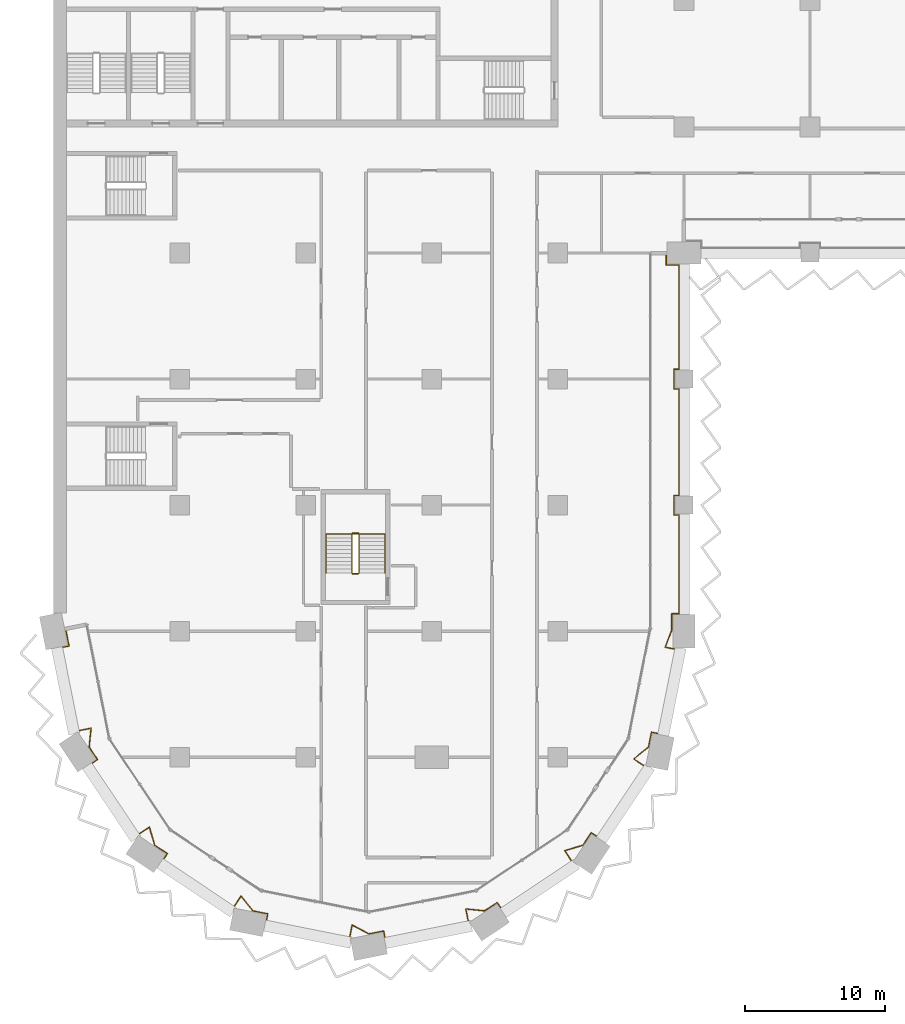
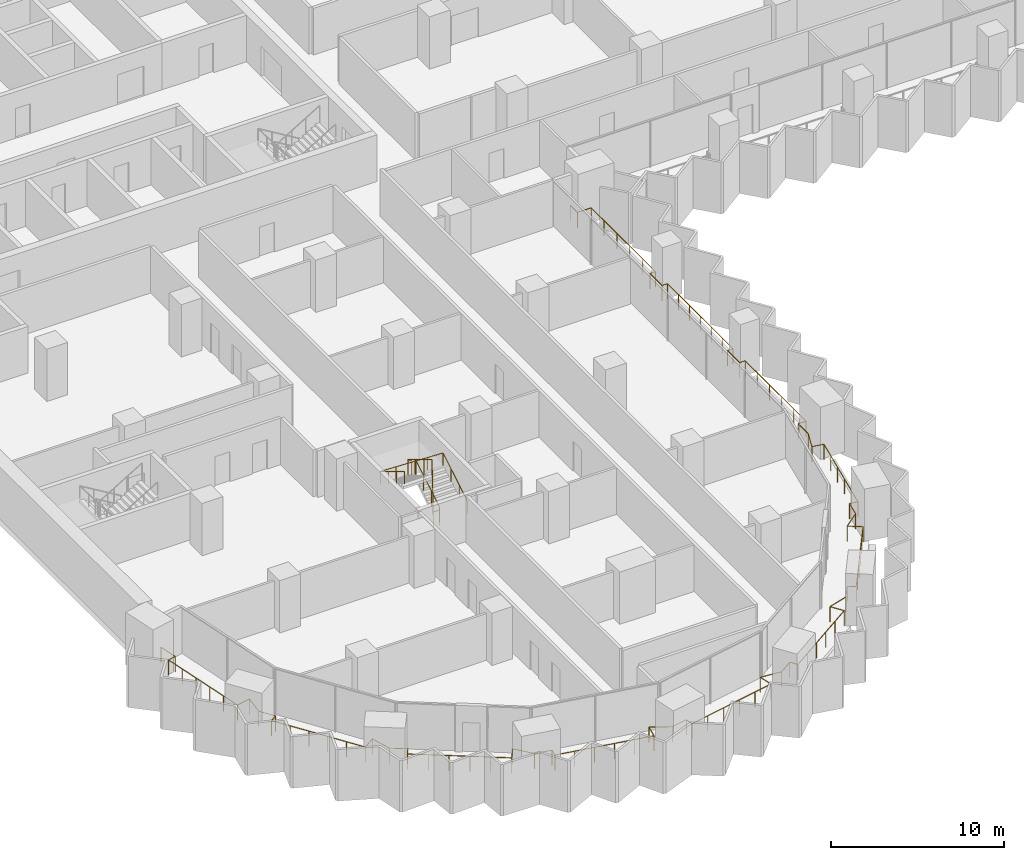
# One storey, part 25 of 29: 3 railings.
"""IFC4 building model written with IfcOpenShell, lengths in metres."""

from ifc_helpers import new_model, si_unit, direction, frame, origin, origin_2d, place, context, subcontext, project, spatial, circle, extrude, material, type_object, element, save


model = new_model("IFC4")

# Units and contexts
model_context = context("Model", 3, precision=1e-05, world=origin(), true_north=direction((0.0, 1.0)))
body_context = subcontext(model_context, "Body", "Model", "MODEL_VIEW")
ifc_project = project(units=[si_unit("LENGTHUNIT", "METRE"), si_unit("AREAUNIT", "SQUARE_METRE"), si_unit("VOLUMEUNIT", "CUBIC_METRE"), si_unit("PLANEANGLEUNIT", "RADIAN"), si_unit("MASSUNIT", "GRAM", prefix="KILO")], contexts=[model_context])

# Site, building, storey
site_placement = place(None, origin())
site = spatial("IfcSite", under=ifc_project, at=site_placement, CompositionType="ELEMENT")
building_placement = place(site_placement, origin())
building = spatial("IfcBuilding", under=site, at=building_placement, Name="Hunhe Ridgeline Campus", CompositionType="ELEMENT")
storey_placement = place(building_placement, frame((0.0, 0.0, 50.60009765625)))
storey = spatial("IfcBuildingStorey", under=building, at=storey_placement, Name="L11", CompositionType="ELEMENT", Elevation=50.60009765625)

# Railings
ifc_material_1 = material(Name="Steel Q355", Category="steel")
railing_type_1 = type_object("IfcRailingType", Name="Loggia guard 1100 Steel Q355", PredefinedType="GUARDRAIL", material=ifc_material_1)
railing_1_placement = place(storey_placement, frame((0.853271484375, 27.169677734375, 0.0)))
element("IfcRailing", 1, at=railing_1_placement, inside=storey, type_object=railing_type_1, Name="Loggia guard 1", PredefinedType="GUARDRAIL", context=body_context, shape_type="SweptSolid", body=[
    extrude(circle(Radius=0.02392578125, at=origin_2d()), frame((0.0, 0.0, 1.076171875), z_axis=(0.195139364365, -0.980775523999, 0.0), x_axis=(0.980775523999, 0.195139364365, 0.0)), (0.0, 0.0, 1.0), 1.249755859375),
    extrude(circle(Radius=0.02392578125, at=origin_2d()), frame((0.243896484375, -1.225830078125, 1.076171875), z_axis=(-0.980742851189, -0.195303506986, 0.0), x_axis=(0.195303506986, -0.980742851189, 0.0)), (0.0, 0.0, 1.0), 0.52001953125),
    extrude(circle(Radius=0.02392578125, at=origin_2d()), frame((-0.26611328125, -1.327392578125, 1.076171875), z_axis=(0.195094074844, -0.980784533912, 0.0), x_axis=(0.980784533912, 0.195094074844, 0.0)), (0.0, 0.0, 1.0), 6.064208984375),
    extrude(circle(Radius=0.02392578125, at=origin_2d()), frame((0.9169921875, -7.275146484375, 1.076171875), z_axis=(0.980774480174, 0.195144610585, 0.0), x_axis=(-0.195144610585, 0.980774480174, 0.0)), (0.0, 0.0, 1.0), 0.918212890625),
    extrude(circle(Radius=0.02392578125, at=origin_2d()), frame((1.817626953125, -7.095947265625, 1.076171875), z_axis=(-0.102578746514, -0.994724886973, 0.0), x_axis=(0.994724886973, -0.102578746514, 0.0)), (0.0, 0.0, 1.0), 1.351806640625),
    extrude(circle(Radius=0.02392578125, at=origin_2d()), frame((1.678955078125, -8.440673828125, 1.076171875), z_axis=(0.555693885997, -0.831386976724, 0.0), x_axis=(0.831386976724, 0.555693885997, 0.0)), (0.0, 0.0, 1.0), 1.076904296875),
    extrude(circle(Radius=0.02392578125, at=origin_2d()), frame((2.27734375, -9.3359375, 1.076171875), z_axis=(-0.831327417949, -0.555782982977, 0.0), x_axis=(0.555782982977, -0.831327417949, 0.0)), (0.0, 0.0, 1.0), 0.52001953125),
    extrude(circle(Radius=0.02392578125, at=origin_2d()), frame((1.844970703125, -9.625, 1.076171875), z_axis=(0.55557319973, -0.831467630002, 0.0), x_axis=(0.831467630002, 0.55557319973, 0.0)), (0.0, 0.0, 1.0), 6.064208984375),
    extrude(circle(Radius=0.02392578125, at=origin_2d()), frame((5.214111328125, -14.667236328125, 1.076171875), z_axis=(0.831395250422, 0.555681507318, 0.0), x_axis=(-0.555681507318, 0.831395250422, 0.0)), (0.0, 0.0, 1.0), 0.918212890625),
    extrude(circle(Radius=0.02392578125, at=origin_2d()), frame((5.9775390625, -14.156982421875, 1.076171875), z_axis=(0.285889499126, -0.958262591511, 0.0), x_axis=(0.958262591511, 0.285889499126, 0.0)), (0.0, 0.0, 1.0), 1.351806640625),
    extrude(circle(Radius=0.02392578125, at=origin_2d()), frame((6.364013671875, -15.452392578125, 1.076171875), z_axis=(0.831456967492, -0.555589156849, 0.0), x_axis=(0.555589156849, 0.831456967492, 0.0)), (0.0, 0.0, 1.0), 1.0771484375),
    extrude(circle(Radius=0.02392578125, at=origin_2d()), frame((7.259521484375, -16.05078125, 1.076171875), z_axis=(-0.555675381322, -0.831399344835, 0.0), x_axis=(0.831399344835, -0.555675381322, 0.0)), (0.0, 0.0, 1.0), 0.519775390625),
    extrude(circle(Radius=0.02392578125, at=origin_2d()), frame((6.970703125, -16.48291015625, 1.076171875), z_axis=(0.831467630002, -0.55557319973, 0.0), x_axis=(0.55557319973, 0.831467630002, 0.0)), (0.0, 0.0, 1.0), 6.064208984375),
    extrude(circle(Radius=0.02392578125, at=origin_2d()), frame((12.012939453125, -19.85205078125, 1.076171875), z_axis=(0.555497688072, 0.831518080709, 0.0), x_axis=(-0.831518080709, 0.555497688072, 0.0)), (0.0, 0.0, 1.0), 0.918212890625),
    extrude(circle(Radius=0.02392578125, at=origin_2d()), frame((12.52294921875, -19.088623046875, 1.076171875), z_axis=(0.630864561128, -0.775892972976, 0.0), x_axis=(0.775892972976, 0.630864561128, 0.0)), (0.0, 0.0, 1.0), 1.351806640625),
    extrude(circle(Radius=0.02392578125, at=origin_2d()), frame((13.375732421875, -20.137451171875, 1.076171875), z_axis=(0.980771998786, -0.195157081339, 0.0), x_axis=(0.195157081339, 0.980771998786, 0.0)), (0.0, 0.0, 1.0), 1.0771484375),
    extrude(circle(Radius=0.02392578125, at=origin_2d()), frame((14.43212890625, -20.34765625, 1.076171875), z_axis=(-0.195303506986, -0.980742851189, 0.0), x_axis=(0.980742851189, -0.195303506986, 0.0)), (0.0, 0.0, 1.0), 0.52001953125),
    extrude(circle(Radius=0.02392578125, at=origin_2d()), frame((14.33056640625, -20.857666015625, 1.076171875), z_axis=(0.980792236535, -0.195055347919, 0.0), x_axis=(0.195055347919, 0.980792236535, 0.0)), (0.0, 0.0, 1.0), 6.064208984375),
    extrude(circle(Radius=0.02392578125, at=origin_2d()), frame((20.2783203125, -22.04052734375, 1.076171875), z_axis=(0.195144610585, 0.980774480174, 0.0), x_axis=(-0.980774480174, 0.195144610585, 0.0)), (0.0, 0.0, 1.0), 0.918212890625),
    extrude(circle(Radius=0.02392578125, at=origin_2d()), frame((20.45751953125, -21.139892578125, 1.076171875), z_axis=(0.879704471732, -0.475520811757, 0.0), x_axis=(0.475520811757, 0.879704471732, 0.0)), (0.0, 0.0, 1.0), 1.351806640625),
    extrude(circle(Radius=0.02392578125, at=origin_2d()), frame((21.646728515625, -21.78271484375, 1.076171875), z_axis=(0.980763363144, 0.195200475189, 0.0), x_axis=(-0.195200475189, 0.980763363144, 0.0)), (0.0, 0.0, 1.0), 1.076904296875),
    extrude(circle(Radius=0.02392578125, at=origin_2d()), frame((22.702880859375, -21.572509765625, 1.076171875), z_axis=(0.195303506986, -0.980742851189, 0.0), x_axis=(0.980742851189, 0.195303506986, 0.0)), (0.0, 0.0, 1.0), 0.52001953125),
    extrude(circle(Radius=0.02392578125, at=origin_2d()), frame((22.804443359375, -22.08251953125, 1.076171875), z_axis=(0.980784533912, 0.195094074844, 0.0), x_axis=(-0.195094074844, 0.980784533912, 0.0)), (0.0, 0.0, 1.0), 6.064208984375),
    extrude(circle(Radius=0.02392578125, at=origin_2d()), frame((28.752197265625, -20.8994140625, 1.076171875), z_axis=(-0.195144610585, 0.980774480174, 0.0), x_axis=(-0.980774480174, -0.195144610585, 0.0)), (0.0, 0.0, 1.0), 0.918212890625),
    extrude(circle(Radius=0.02392578125, at=origin_2d()), frame((28.572998046875, -19.998779296875, 1.076171875), z_axis=(0.994724886973, -0.102578746514, 0.0), x_axis=(0.102578746514, 0.994724886973, 0.0)), (0.0, 0.0, 1.0), 1.351806640625),
    extrude(circle(Radius=0.02392578125, at=origin_2d()), frame((29.917724609375, -20.137451171875, 1.076171875), z_axis=(0.831386976724, 0.555693885997, 0.0), x_axis=(-0.555693885997, 0.831386976724, 0.0)), (0.0, 0.0, 1.0), 1.076904296875),
    extrude(circle(Radius=0.02392578125, at=origin_2d()), frame((30.81298828125, -19.5390625, 1.076171875), z_axis=(0.555782982977, -0.831327417949, 0.0), x_axis=(0.831327417949, 0.555782982977, 0.0)), (0.0, 0.0, 1.0), 0.52001953125),
    extrude(circle(Radius=0.02392578125, at=origin_2d()), frame((31.10205078125, -19.971435546875, 1.076171875), z_axis=(0.831467630002, 0.55557319973, 0.0), x_axis=(-0.55557319973, 0.831467630002, 0.0)), (0.0, 0.0, 1.0), 6.064208984375),
    extrude(circle(Radius=0.02392578125, at=origin_2d()), frame((36.144287109375, -16.602294921875, 1.076171875), z_axis=(-0.555681507318, 0.831395250422, 0.0), x_axis=(-0.831395250422, -0.555681507318, 0.0)), (0.0, 0.0, 1.0), 0.918212890625),
    extrude(circle(Radius=0.02392578125, at=origin_2d()), frame((35.634033203125, -15.8388671875, 1.076171875), z_axis=(0.958262591511, 0.285889499126, 0.0), x_axis=(-0.285889499126, 0.958262591511, 0.0)), (0.0, 0.0, 1.0), 1.351806640625),
    extrude(circle(Radius=0.02392578125, at=origin_2d()), frame((36.929443359375, -15.452392578125, 1.076171875), z_axis=(0.555589156849, 0.831456967492, 0.0), x_axis=(-0.831456967492, 0.555589156849, 0.0)), (0.0, 0.0, 1.0), 1.0771484375),
    extrude(circle(Radius=0.02392578125, at=origin_2d()), frame((37.52783203125, -14.556884765625, 1.076171875), z_axis=(0.831399344835, -0.555675381322, 0.0), x_axis=(0.555675381322, 0.831399344835, 0.0)), (0.0, 0.0, 1.0), 0.519775390625),
    extrude(circle(Radius=0.02392578125, at=origin_2d()), frame((37.9599609375, -14.845703125, 1.076171875), z_axis=(0.55557319973, 0.831467630002, 0.0), x_axis=(-0.831467630002, 0.55557319973, 0.0)), (0.0, 0.0, 1.0), 6.064208984375),
    extrude(circle(Radius=0.02392578125, at=origin_2d()), frame((41.3291015625, -9.803466796875, 1.076171875), z_axis=(-0.831518080709, 0.555497688072, 0.0), x_axis=(-0.555497688072, -0.831518080709, 0.0)), (0.0, 0.0, 1.0), 0.918212890625),
    extrude(circle(Radius=0.02392578125, at=origin_2d()), frame((40.565673828125, -9.29345703125, 1.076171875), z_axis=(0.775892972976, 0.630864561128, 0.0), x_axis=(-0.630864561128, 0.775892972976, 0.0)), (0.0, 0.0, 1.0), 1.351806640625),
    extrude(circle(Radius=0.02392578125, at=origin_2d()), frame((41.614501953125, -8.440673828125, 1.076171875), z_axis=(0.195157081339, 0.980771998786, 0.0), x_axis=(-0.980771998786, 0.195157081339, 0.0)), (0.0, 0.0, 1.0), 1.0771484375),
    extrude(circle(Radius=0.02392578125, at=origin_2d()), frame((41.82470703125, -7.38427734375, 1.076171875), z_axis=(0.980742851189, -0.195303506986, 0.0), x_axis=(0.195303506986, 0.980742851189, 0.0)), (0.0, 0.0, 1.0), 0.52001953125),
    extrude(circle(Radius=0.02392578125, at=origin_2d()), frame((42.334716796875, -7.48583984375, 1.076171875), z_axis=(0.19507712928, 0.980787904509, 0.0), x_axis=(-0.980787904509, 0.19507712928, 0.0)), (0.0, 0.0, 1.0), 6.146240234375),
    extrude(circle(Radius=0.02392578125, at=origin_2d()), frame((43.53369140625, -1.457763671875, 1.076171875), z_axis=(-0.980808789294, 0.194972097602, 0.0), x_axis=(-0.194972097602, -0.980808789294, 0.0)), (0.0, 0.0, 1.0), 0.73876953125),
    extrude(circle(Radius=0.02392578125, at=origin_2d()), frame((42.80908203125, -1.313720703125, 1.076171875), z_axis=(0.35537018301, 0.93472564586, 0.0), x_axis=(-0.93472564586, 0.35537018301, 0.0)), (0.0, 0.0, 1.0), 1.315673828125),
    extrude(circle(Radius=0.02392578125, at=origin_2d()), frame((43.276611328125, -0.083984375, 1.076171875), z_axis=(0.0, 1.0, 0.0), x_axis=(-1.0, 0.0, 0.0)), (0.0, 0.0, 1.0), 1.164306640625),
    extrude(circle(Radius=0.02392578125, at=origin_2d()), frame((43.276611328125, 1.080322265625, 1.076171875), z_axis=(1.0, 0.0, 0.0), x_axis=(0.0, 1.0, 0.0)), (0.0, 0.0, 1.0), 0.52001953125),
    extrude(circle(Radius=0.02392578125, at=origin_2d()), frame((43.796630859375, 1.080322265625, 1.076171875), z_axis=(0.0, 1.0, 0.0), x_axis=(-1.0, 0.0, 0.0)), (0.0, 0.0, 1.0), 7.050048828125),
    extrude(circle(Radius=0.02392578125, at=origin_2d()), frame((43.796630859375, 8.13037109375, 1.076171875), z_axis=(-1.0, 0.0, 0.0), x_axis=(0.0, -1.0, 0.0)), (0.0, 0.0, 1.0), 0.369873046875),
    extrude(circle(Radius=0.02392578125, at=origin_2d()), frame((43.4267578125, 8.13037109375, 1.076171875), z_axis=(0.0, 1.0, 0.0), x_axis=(-1.0, 0.0, 0.0)), (0.0, 0.0, 1.0), 1.39990234375),
    extrude(circle(Radius=0.02392578125, at=origin_2d()), frame((43.4267578125, 9.5302734375, 1.076171875), z_axis=(1.0, 0.0, 0.0), x_axis=(0.0, 1.0, 0.0)), (0.0, 0.0, 1.0), 0.369873046875),
    extrude(circle(Radius=0.02392578125, at=origin_2d()), frame((43.796630859375, 9.5302734375, 1.076171875), z_axis=(0.0, 1.0, 0.0), x_axis=(-1.0, 0.0, 0.0)), (0.0, 0.0, 1.0), 7.60009765625),
    extrude(circle(Radius=0.02392578125, at=origin_2d()), frame((43.796630859375, 17.13037109375, 1.076171875), z_axis=(-1.0, 0.0, 0.0), x_axis=(0.0, -1.0, 0.0)), (0.0, 0.0, 1.0), 0.369873046875),
    extrude(circle(Radius=0.02392578125, at=origin_2d()), frame((43.4267578125, 17.13037109375, 1.076171875), z_axis=(0.0, 1.0, 0.0), x_axis=(-1.0, 0.0, 0.0)), (0.0, 0.0, 1.0), 1.39990234375),
    extrude(circle(Radius=0.02392578125, at=origin_2d()), frame((43.4267578125, 18.5302734375, 1.076171875), z_axis=(1.0, 0.0, 0.0), x_axis=(0.0, 1.0, 0.0)), (0.0, 0.0, 1.0), 0.369873046875),
    extrude(circle(Radius=0.02392578125, at=origin_2d()), frame((43.796630859375, 18.5302734375, 1.076171875), z_axis=(0.0, 1.0, 0.0), x_axis=(-1.0, 0.0, 0.0)), (0.0, 0.0, 1.0), 7.449951171875),
    extrude(circle(Radius=0.02392578125, at=origin_2d()), frame((43.796630859375, 25.980224609375, 1.076171875), z_axis=(-1.0, 0.0, 0.0), x_axis=(0.0, -1.0, 0.0)), (0.0, 0.0, 1.0), 0.919921875),
    extrude(circle(Radius=0.02392578125, at=origin_2d()), frame((42.876708984375, 25.980224609375, 1.076171875), z_axis=(0.0, 1.0, 0.0), x_axis=(-1.0, 0.0, 0.0)), (0.0, 0.0, 1.0), 0.85009765625),
    extrude(circle(Radius=0.02099609375, at=origin_2d()), origin(), (0.0, 0.0, 1.0), 1.052001953125),
    extrude(circle(Radius=0.02099609375, at=origin_2d()), frame((0.243896484375, -1.225830078125, 0.0)), (0.0, 0.0, 1.0), 1.052001953125),
    extrude(circle(Radius=0.02099609375, at=origin_2d()), frame((-0.26611328125, -1.327392578125, 0.0)), (0.0, 0.0, 1.0), 1.052001953125),
    extrude(circle(Radius=0.02099609375, at=origin_2d()), frame((-0.029541015625, -2.516845703125, 0.0)), (0.0, 0.0, 1.0), 1.052001953125),
    extrude(circle(Radius=0.02099609375, at=origin_2d()), frame((0.20703125, -3.70654296875, 0.0)), (0.0, 0.0, 1.0), 1.052001953125),
    extrude(circle(Radius=0.02099609375, at=origin_2d()), frame((0.44384765625, -4.89599609375, 0.0)), (0.0, 0.0, 1.0), 1.052001953125),
    extrude(circle(Radius=0.02099609375, at=origin_2d()), frame((0.680419921875, -6.085693359375, 0.0)), (0.0, 0.0, 1.0), 1.052001953125),
    extrude(circle(Radius=0.02099609375, at=origin_2d()), frame((0.9169921875, -7.275146484375, 0.0)), (0.0, 0.0, 1.0), 1.052001953125),
    extrude(circle(Radius=0.02099609375, at=origin_2d()), frame((1.817626953125, -7.095947265625, 0.0)), (0.0, 0.0, 1.0), 1.052001953125),
    extrude(circle(Radius=0.02099609375, at=origin_2d()), frame((1.678955078125, -8.440673828125, 0.0)), (0.0, 0.0, 1.0), 1.052001953125),
    extrude(circle(Radius=0.02099609375, at=origin_2d()), frame((2.27734375, -9.3359375, 0.0)), (0.0, 0.0, 1.0), 1.052001953125),
    extrude(circle(Radius=0.02099609375, at=origin_2d()), frame((1.844970703125, -9.625, 0.0)), (0.0, 0.0, 1.0), 1.052001953125),
    extrude(circle(Radius=0.02099609375, at=origin_2d()), frame((2.518798828125, -10.633544921875, 0.0)), (0.0, 0.0, 1.0), 1.052001953125),
    extrude(circle(Radius=0.02099609375, at=origin_2d()), frame((3.192626953125, -11.641845703125, 0.0)), (0.0, 0.0, 1.0), 1.052001953125),
    extrude(circle(Radius=0.02099609375, at=origin_2d()), frame((3.866455078125, -12.650390625, 0.0)), (0.0, 0.0, 1.0), 1.052001953125),
    extrude(circle(Radius=0.02099609375, at=origin_2d()), frame((4.540283203125, -13.65869140625, 0.0)), (0.0, 0.0, 1.0), 1.052001953125),
    extrude(circle(Radius=0.02099609375, at=origin_2d()), frame((5.214111328125, -14.667236328125, 0.0)), (0.0, 0.0, 1.0), 1.052001953125),
    extrude(circle(Radius=0.02099609375, at=origin_2d()), frame((5.9775390625, -14.156982421875, 0.0)), (0.0, 0.0, 1.0), 1.052001953125),
    extrude(circle(Radius=0.02099609375, at=origin_2d()), frame((6.364013671875, -15.452392578125, 0.0)), (0.0, 0.0, 1.0), 1.052001953125),
    extrude(circle(Radius=0.02099609375, at=origin_2d()), frame((7.259521484375, -16.05078125, 0.0)), (0.0, 0.0, 1.0), 1.052001953125),
    extrude(circle(Radius=0.02099609375, at=origin_2d()), frame((6.970703125, -16.48291015625, 0.0)), (0.0, 0.0, 1.0), 1.052001953125),
    extrude(circle(Radius=0.02099609375, at=origin_2d()), frame((7.979248046875, -17.15673828125, 0.0)), (0.0, 0.0, 1.0), 1.052001953125),
    extrude(circle(Radius=0.02099609375, at=origin_2d()), frame((8.987548828125, -17.83056640625, 0.0)), (0.0, 0.0, 1.0), 1.052001953125),
    extrude(circle(Radius=0.02099609375, at=origin_2d()), frame((9.99609375, -18.50439453125, 0.0)), (0.0, 0.0, 1.0), 1.052001953125),
    extrude(circle(Radius=0.02099609375, at=origin_2d()), frame((11.00439453125, -19.17822265625, 0.0)), (0.0, 0.0, 1.0), 1.052001953125),
    extrude(circle(Radius=0.02099609375, at=origin_2d()), frame((12.012939453125, -19.85205078125, 0.0)), (0.0, 0.0, 1.0), 1.052001953125),
    extrude(circle(Radius=0.02099609375, at=origin_2d()), frame((12.52294921875, -19.088623046875, 0.0)), (0.0, 0.0, 1.0), 1.052001953125),
    extrude(circle(Radius=0.02099609375, at=origin_2d()), frame((13.375732421875, -20.137451171875, 0.0)), (0.0, 0.0, 1.0), 1.052001953125),
    extrude(circle(Radius=0.02099609375, at=origin_2d()), frame((14.43212890625, -20.34765625, 0.0)), (0.0, 0.0, 1.0), 1.052001953125),
    extrude(circle(Radius=0.02099609375, at=origin_2d()), frame((14.33056640625, -20.857666015625, 0.0)), (0.0, 0.0, 1.0), 1.052001953125),
    extrude(circle(Radius=0.02099609375, at=origin_2d()), frame((15.52001953125, -21.09423828125, 0.0)), (0.0, 0.0, 1.0), 1.052001953125),
    extrude(circle(Radius=0.02099609375, at=origin_2d()), frame((16.709716796875, -21.330810546875, 0.0)), (0.0, 0.0, 1.0), 1.052001953125),
    extrude(circle(Radius=0.02099609375, at=origin_2d()), frame((17.899169921875, -21.5673828125, 0.0)), (0.0, 0.0, 1.0), 1.052001953125),
    extrude(circle(Radius=0.02099609375, at=origin_2d()), frame((19.0888671875, -21.803955078125, 0.0)), (0.0, 0.0, 1.0), 1.052001953125),
    extrude(circle(Radius=0.02099609375, at=origin_2d()), frame((20.2783203125, -22.04052734375, 0.0)), (0.0, 0.0, 1.0), 1.052001953125),
    extrude(circle(Radius=0.02099609375, at=origin_2d()), frame((20.45751953125, -21.139892578125, 0.0)), (0.0, 0.0, 1.0), 1.052001953125),
    extrude(circle(Radius=0.02099609375, at=origin_2d()), frame((21.646728515625, -21.78271484375, 0.0)), (0.0, 0.0, 1.0), 1.052001953125),
    extrude(circle(Radius=0.02099609375, at=origin_2d()), frame((22.702880859375, -21.572509765625, 0.0)), (0.0, 0.0, 1.0), 1.052001953125),
    extrude(circle(Radius=0.02099609375, at=origin_2d()), frame((22.804443359375, -22.08251953125, 0.0)), (0.0, 0.0, 1.0), 1.052001953125),
    extrude(circle(Radius=0.02099609375, at=origin_2d()), frame((23.993896484375, -21.845947265625, 0.0)), (0.0, 0.0, 1.0), 1.052001953125),
    extrude(circle(Radius=0.02099609375, at=origin_2d()), frame((25.18359375, -21.609375, 0.0)), (0.0, 0.0, 1.0), 1.052001953125),
    extrude(circle(Radius=0.02099609375, at=origin_2d()), frame((26.373046875, -21.37255859375, 0.0)), (0.0, 0.0, 1.0), 1.052001953125),
    extrude(circle(Radius=0.02099609375, at=origin_2d()), frame((27.562744140625, -21.135986328125, 0.0)), (0.0, 0.0, 1.0), 1.052001953125),
    extrude(circle(Radius=0.02099609375, at=origin_2d()), frame((28.752197265625, -20.8994140625, 0.0)), (0.0, 0.0, 1.0), 1.052001953125),
    extrude(circle(Radius=0.02099609375, at=origin_2d()), frame((28.572998046875, -19.998779296875, 0.0)), (0.0, 0.0, 1.0), 1.052001953125),
    extrude(circle(Radius=0.02099609375, at=origin_2d()), frame((29.917724609375, -20.137451171875, 0.0)), (0.0, 0.0, 1.0), 1.052001953125),
    extrude(circle(Radius=0.02099609375, at=origin_2d()), frame((30.81298828125, -19.5390625, 0.0)), (0.0, 0.0, 1.0), 1.052001953125),
    extrude(circle(Radius=0.02099609375, at=origin_2d()), frame((31.10205078125, -19.971435546875, 0.0)), (0.0, 0.0, 1.0), 1.052001953125),
    extrude(circle(Radius=0.02099609375, at=origin_2d()), frame((32.110595703125, -19.297607421875, 0.0)), (0.0, 0.0, 1.0), 1.052001953125),
    extrude(circle(Radius=0.02099609375, at=origin_2d()), frame((33.118896484375, -18.623779296875, 0.0)), (0.0, 0.0, 1.0), 1.052001953125),
    extrude(circle(Radius=0.02099609375, at=origin_2d()), frame((34.12744140625, -17.949951171875, 0.0)), (0.0, 0.0, 1.0), 1.052001953125),
    extrude(circle(Radius=0.02099609375, at=origin_2d()), frame((35.1357421875, -17.276123046875, 0.0)), (0.0, 0.0, 1.0), 1.052001953125),
    extrude(circle(Radius=0.02099609375, at=origin_2d()), frame((36.144287109375, -16.602294921875, 0.0)), (0.0, 0.0, 1.0), 1.052001953125),
    extrude(circle(Radius=0.02099609375, at=origin_2d()), frame((35.634033203125, -15.8388671875, 0.0)), (0.0, 0.0, 1.0), 1.052001953125),
    extrude(circle(Radius=0.02099609375, at=origin_2d()), frame((36.929443359375, -15.452392578125, 0.0)), (0.0, 0.0, 1.0), 1.052001953125),
    extrude(circle(Radius=0.02099609375, at=origin_2d()), frame((37.52783203125, -14.556884765625, 0.0)), (0.0, 0.0, 1.0), 1.052001953125),
    extrude(circle(Radius=0.02099609375, at=origin_2d()), frame((37.9599609375, -14.845703125, 0.0)), (0.0, 0.0, 1.0), 1.052001953125),
    extrude(circle(Radius=0.02099609375, at=origin_2d()), frame((38.6337890625, -13.837158203125, 0.0)), (0.0, 0.0, 1.0), 1.052001953125),
    extrude(circle(Radius=0.02099609375, at=origin_2d()), frame((39.3076171875, -12.828857421875, 0.0)), (0.0, 0.0, 1.0), 1.052001953125),
    extrude(circle(Radius=0.02099609375, at=origin_2d()), frame((39.9814453125, -11.8203125, 0.0)), (0.0, 0.0, 1.0), 1.052001953125),
    extrude(circle(Radius=0.02099609375, at=origin_2d()), frame((40.6552734375, -10.81201171875, 0.0)), (0.0, 0.0, 1.0), 1.052001953125),
    extrude(circle(Radius=0.02099609375, at=origin_2d()), frame((41.3291015625, -9.803466796875, 0.0)), (0.0, 0.0, 1.0), 1.052001953125),
    extrude(circle(Radius=0.02099609375, at=origin_2d()), frame((40.565673828125, -9.29345703125, 0.0)), (0.0, 0.0, 1.0), 1.052001953125),
    extrude(circle(Radius=0.02099609375, at=origin_2d()), frame((41.614501953125, -8.440673828125, 0.0)), (0.0, 0.0, 1.0), 1.052001953125),
    extrude(circle(Radius=0.02099609375, at=origin_2d()), frame((41.82470703125, -7.38427734375, 0.0)), (0.0, 0.0, 1.0), 1.052001953125),
    extrude(circle(Radius=0.02099609375, at=origin_2d()), frame((42.334716796875, -7.48583984375, 0.0)), (0.0, 0.0, 1.0), 1.052001953125),
    extrude(circle(Radius=0.02099609375, at=origin_2d()), frame((42.574462890625, -6.2802734375, 0.0)), (0.0, 0.0, 1.0), 1.052001953125),
    extrude(circle(Radius=0.02099609375, at=origin_2d()), frame((42.814208984375, -5.07470703125, 0.0)), (0.0, 0.0, 1.0), 1.052001953125),
    extrude(circle(Radius=0.02099609375, at=origin_2d()), frame((43.05419921875, -3.868896484375, 0.0)), (0.0, 0.0, 1.0), 1.052001953125),
    extrude(circle(Radius=0.02099609375, at=origin_2d()), frame((43.2939453125, -2.663330078125, 0.0)), (0.0, 0.0, 1.0), 1.052001953125),
    extrude(circle(Radius=0.02099609375, at=origin_2d()), frame((43.53369140625, -1.457763671875, 0.0)), (0.0, 0.0, 1.0), 1.052001953125),
    extrude(circle(Radius=0.02099609375, at=origin_2d()), frame((42.80908203125, -1.313720703125, 0.0)), (0.0, 0.0, 1.0), 1.052001953125),
    extrude(circle(Radius=0.02099609375, at=origin_2d()), frame((43.276611328125, -0.083984375, 0.0)), (0.0, 0.0, 1.0), 1.052001953125),
    extrude(circle(Radius=0.02099609375, at=origin_2d()), frame((43.276611328125, 1.080322265625, 0.0)), (0.0, 0.0, 1.0), 1.052001953125),
    extrude(circle(Radius=0.02099609375, at=origin_2d()), frame((43.796630859375, 1.080322265625, 0.0)), (0.0, 0.0, 1.0), 1.052001953125),
    extrude(circle(Radius=0.02099609375, at=origin_2d()), frame((43.796630859375, 2.490234375, 0.0)), (0.0, 0.0, 1.0), 1.052001953125),
    extrude(circle(Radius=0.02099609375, at=origin_2d()), frame((43.796630859375, 3.900390625, 0.0)), (0.0, 0.0, 1.0), 1.052001953125),
    extrude(circle(Radius=0.02099609375, at=origin_2d()), frame((43.796630859375, 5.310302734375, 0.0)), (0.0, 0.0, 1.0), 1.052001953125),
    extrude(circle(Radius=0.02099609375, at=origin_2d()), frame((43.796630859375, 6.720458984375, 0.0)), (0.0, 0.0, 1.0), 1.052001953125),
    extrude(circle(Radius=0.02099609375, at=origin_2d()), frame((43.796630859375, 8.13037109375, 0.0)), (0.0, 0.0, 1.0), 1.052001953125),
    extrude(circle(Radius=0.02099609375, at=origin_2d()), frame((43.4267578125, 8.13037109375, 0.0)), (0.0, 0.0, 1.0), 1.052001953125),
    extrude(circle(Radius=0.02099609375, at=origin_2d()), frame((43.4267578125, 9.5302734375, 0.0)), (0.0, 0.0, 1.0), 1.052001953125),
    extrude(circle(Radius=0.02099609375, at=origin_2d()), frame((43.796630859375, 9.5302734375, 0.0)), (0.0, 0.0, 1.0), 1.052001953125),
    extrude(circle(Radius=0.02099609375, at=origin_2d()), frame((43.796630859375, 10.796875, 0.0)), (0.0, 0.0, 1.0), 1.052001953125),
    extrude(circle(Radius=0.02099609375, at=origin_2d()), frame((43.796630859375, 12.063720703125, 0.0)), (0.0, 0.0, 1.0), 1.052001953125),
    extrude(circle(Radius=0.02099609375, at=origin_2d()), frame((43.796630859375, 13.330322265625, 0.0)), (0.0, 0.0, 1.0), 1.052001953125),
    extrude(circle(Radius=0.02099609375, at=origin_2d()), frame((43.796630859375, 14.596923828125, 0.0)), (0.0, 0.0, 1.0), 1.052001953125),
    extrude(circle(Radius=0.02099609375, at=origin_2d()), frame((43.796630859375, 15.86376953125, 0.0)), (0.0, 0.0, 1.0), 1.052001953125),
    extrude(circle(Radius=0.02099609375, at=origin_2d()), frame((43.796630859375, 17.13037109375, 0.0)), (0.0, 0.0, 1.0), 1.052001953125),
    extrude(circle(Radius=0.02099609375, at=origin_2d()), frame((43.4267578125, 17.13037109375, 0.0)), (0.0, 0.0, 1.0), 1.052001953125),
    extrude(circle(Radius=0.02099609375, at=origin_2d()), frame((43.4267578125, 18.5302734375, 0.0)), (0.0, 0.0, 1.0), 1.052001953125),
    extrude(circle(Radius=0.02099609375, at=origin_2d()), frame((43.796630859375, 18.5302734375, 0.0)), (0.0, 0.0, 1.0), 1.052001953125),
    extrude(circle(Radius=0.02099609375, at=origin_2d()), frame((43.796630859375, 20.020263671875, 0.0)), (0.0, 0.0, 1.0), 1.052001953125),
    extrude(circle(Radius=0.02099609375, at=origin_2d()), frame((43.796630859375, 21.51025390625, 0.0)), (0.0, 0.0, 1.0), 1.052001953125),
    extrude(circle(Radius=0.02099609375, at=origin_2d()), frame((43.796630859375, 23.000244140625, 0.0)), (0.0, 0.0, 1.0), 1.052001953125),
    extrude(circle(Radius=0.02099609375, at=origin_2d()), frame((43.796630859375, 24.490234375, 0.0)), (0.0, 0.0, 1.0), 1.052001953125),
    extrude(circle(Radius=0.02099609375, at=origin_2d()), frame((43.796630859375, 25.980224609375, 0.0)), (0.0, 0.0, 1.0), 1.052001953125),
    extrude(circle(Radius=0.02099609375, at=origin_2d()), frame((42.876708984375, 25.980224609375, 0.0)), (0.0, 0.0, 1.0), 1.052001953125),
    extrude(circle(Radius=0.02099609375, at=origin_2d()), frame((42.876708984375, 26.830322265625, 0.0)), (0.0, 0.0, 1.0), 1.052001953125),
])
ifc_material_2 = material(Name="Stainless steel balustrade", Category="steel")
railing_type_2 = type_object("IfcRailingType", Name="Stair guard 1100 stainless", PredefinedType="GUARDRAIL", material=ifc_material_2)
railing_2_placement = place(storey_placement, frame((21.800048828125, 31.14990234375, 0.16796875)))
element("IfcRailing", 2, at=railing_2_placement, inside=storey, type_object=railing_type_2, Name="L11 stair W3 guard", PredefinedType="GUARDRAIL", context=body_context, shape_type="SweptSolid", body=[
    extrude(circle(Radius=0.02392578125, at=origin_2d()), frame((0.0, 0.0, 1.076171875), z_axis=(0.0, 0.857242210791, 0.514913383045), x_axis=(-1.0, 0.0, 0.0)), (0.0, 0.0, 1.0), 3.266357421875),
    extrude(circle(Radius=0.02392578125, at=origin_2d()), frame((0.0, 2.800048828125, 2.7578125), z_axis=(-0.707106781187, 0.707106781187, 0.0), x_axis=(-0.707106781187, -0.707106781187, 0.0)), (0.0, 0.0, 1.0), 0.07080078125),
    extrude(circle(Radius=0.02392578125, at=origin_2d()), frame((-0.050048828125, 2.85009765625, 2.7578125), z_axis=(-1.0, 0.0, 0.0), x_axis=(0.0, -1.0, 0.0)), (0.0, 0.0, 1.0), 0.39990234375),
    extrude(circle(Radius=0.02392578125, at=origin_2d()), frame((-0.449951171875, 2.85009765625, 2.7578125), z_axis=(-0.274243871929, -0.274243871929, 0.92172696468), x_axis=(0.707106781187, -0.707106781187, 0.0)), (0.0, 0.0, 1.0), 0.1826171875),
    extrude(circle(Radius=0.02392578125, at=origin_2d()), frame((-0.5, 2.800048828125, 2.92626953125), z_axis=(0.0, -0.857242210791, 0.514913383045), x_axis=(1.0, 0.0, 0.0)), (0.0, 0.0, 1.0), 3.266357421875),
    extrude(circle(Radius=0.02392578125, at=origin_2d()), frame((-0.5, 0.0, 4.60791015625), z_axis=(0.013524426427, -0.013458453615, -0.999817963389), x_axis=(0.705375805398, 0.708833529934, 0.0)), (0.0, 0.0, 1.0), 3.70068359375),
    extrude(circle(Radius=0.02392578125, at=origin_2d()), frame((-0.449951171875, -0.0498046875, 0.908203125), z_axis=(1.0, 0.0, 0.0), x_axis=(0.0, 1.0, 0.0)), (0.0, 0.0, 1.0), 0.39990234375),
    extrude(circle(Radius=0.02099609375, at=origin_2d()), origin(), (0.0, 0.0, 1.0), 1.052001953125),
    extrude(circle(Radius=0.02099609375, at=origin_2d()), frame((0.0, 0.933349609375, 0.560546875)), (0.0, 0.0, 1.0), 1.052001953125),
    extrude(circle(Radius=0.02099609375, at=origin_2d()), frame((0.0, 1.86669921875, 1.121337890625)), (0.0, 0.0, 1.0), 1.052001953125),
    extrude(circle(Radius=0.02099609375, at=origin_2d()), frame((0.0, 2.800048828125, 1.681884765625)), (0.0, 0.0, 1.0), 1.052001953125),
    extrude(circle(Radius=0.02099609375, at=origin_2d()), frame((-0.050048828125, 2.85009765625, 1.681884765625)), (0.0, 0.0, 1.0), 1.052001953125),
    extrude(circle(Radius=0.02099609375, at=origin_2d()), frame((-0.449951171875, 2.85009765625, 1.681884765625)), (0.0, 0.0, 1.0), 1.052001953125),
    extrude(circle(Radius=0.02099609375, at=origin_2d()), frame((-0.5, 2.800048828125, 1.85009765625)), (0.0, 0.0, 1.0), 1.052001953125),
    extrude(circle(Radius=0.02099609375, at=origin_2d()), frame((-0.5, 1.86669921875, 2.41064453125)), (0.0, 0.0, 1.0), 1.052001953125),
    extrude(circle(Radius=0.02099609375, at=origin_2d()), frame((-0.5, 0.933349609375, 2.971435546875)), (0.0, 0.0, 1.0), 1.052001953125),
    extrude(circle(Radius=0.02099609375, at=origin_2d()), frame((-0.5, 0.0, 3.531982421875)), (0.0, 0.0, 1.0), 1.052001953125),
    extrude(circle(Radius=0.02099609375, at=origin_2d()), frame((-0.487548828125, -0.012451171875, 2.60693359375)), (0.0, 0.0, 1.0), 1.052001953125),
    extrude(circle(Radius=0.02099609375, at=origin_2d()), frame((-0.47509765625, -0.02490234375, 1.68212890625)), (0.0, 0.0, 1.0), 1.052001953125),
    extrude(circle(Radius=0.02099609375, at=origin_2d()), frame((-0.46240234375, -0.037353515625, 0.757080078125)), (0.0, 0.0, 1.0), 1.052001953125),
    extrude(circle(Radius=0.02099609375, at=origin_2d()), frame((-0.449951171875, -0.0498046875, -0.16796875)), (0.0, 0.0, 1.0), 1.052001953125),
    extrude(circle(Radius=0.02099609375, at=origin_2d()), frame((-0.050048828125, -0.0498046875, -0.16796875)), (0.0, 0.0, 1.0), 1.052001953125),
])
ifc_material_3 = material(Name="Stainless steel handrail", Category="steel")
railing_type_3 = type_object("IfcRailingType", Name="Stair handrail 900 stainless", PredefinedType="HANDRAIL", material=ifc_material_3)
railing_3_placement = place(storey_placement, frame((23.64990234375, 31.14990234375, 0.16796875)))
element("IfcRailing", 3, at=railing_3_placement, inside=storey, type_object=railing_type_3, Name="L11 stair W3 handrail", PredefinedType="HANDRAIL", context=body_context, shape_type="SweptSolid", body=[
    extrude(circle(Radius=0.02392578125, at=origin_2d()), frame((0.0, 0.0, 0.8759765625), z_axis=(0.0, 0.857242210791, 0.514913383045), x_axis=(-1.0, 0.0, 0.0)), (0.0, 0.0, 1.0), 3.266357421875),
    extrude(circle(Radius=0.02392578125, at=origin_2d()), frame((0.0, 2.800048828125, 2.5576171875), z_axis=(-0.999198916169, 0.0, 0.040019069537), x_axis=(0.0, -1.0, 0.0)), (0.0, 0.0, 1.0), 4.203369140625),
    extrude(circle(Radius=0.02392578125, at=origin_2d()), frame((-4.199951171875, 2.800048828125, 2.72607421875), z_axis=(0.0, -0.857242210791, 0.514913383045), x_axis=(1.0, 0.0, 0.0)), (0.0, 0.0, 1.0), 3.266357421875),
    extrude(circle(Radius=0.02099609375, at=origin_2d()), origin(), (0.0, 0.0, 1.0), 0.851806640625),
    extrude(circle(Radius=0.02099609375, at=origin_2d()), frame((0.0, 0.933349609375, 0.560546875)), (0.0, 0.0, 1.0), 0.851806640625),
    extrude(circle(Radius=0.02099609375, at=origin_2d()), frame((0.0, 1.86669921875, 1.121337890625)), (0.0, 0.0, 1.0), 0.851806640625),
    extrude(circle(Radius=0.02099609375, at=origin_2d()), frame((0.0, 2.800048828125, 1.681884765625)), (0.0, 0.0, 1.0), 0.851806640625),
    extrude(circle(Radius=0.02099609375, at=origin_2d()), frame((-1.050048828125, 2.800048828125, 1.723876953125)), (0.0, 0.0, 1.0), 0.851806640625),
    extrude(circle(Radius=0.02099609375, at=origin_2d()), frame((-2.10009765625, 2.800048828125, 1.76611328125)), (0.0, 0.0, 1.0), 0.851806640625),
    extrude(circle(Radius=0.02099609375, at=origin_2d()), frame((-3.14990234375, 2.800048828125, 1.80810546875)), (0.0, 0.0, 1.0), 0.851806640625),
    extrude(circle(Radius=0.02099609375, at=origin_2d()), frame((-4.199951171875, 2.800048828125, 1.85009765625)), (0.0, 0.0, 1.0), 0.851806640625),
    extrude(circle(Radius=0.02099609375, at=origin_2d()), frame((-4.199951171875, 1.86669921875, 2.41064453125)), (0.0, 0.0, 1.0), 0.851806640625),
    extrude(circle(Radius=0.02099609375, at=origin_2d()), frame((-4.199951171875, 0.933349609375, 2.971435546875)), (0.0, 0.0, 1.0), 0.851806640625),
    extrude(circle(Radius=0.02099609375, at=origin_2d()), frame((-4.199951171875, 0.0, 3.531982421875)), (0.0, 0.0, 1.0), 0.851806640625),
])

save(model, "model.ifc")
